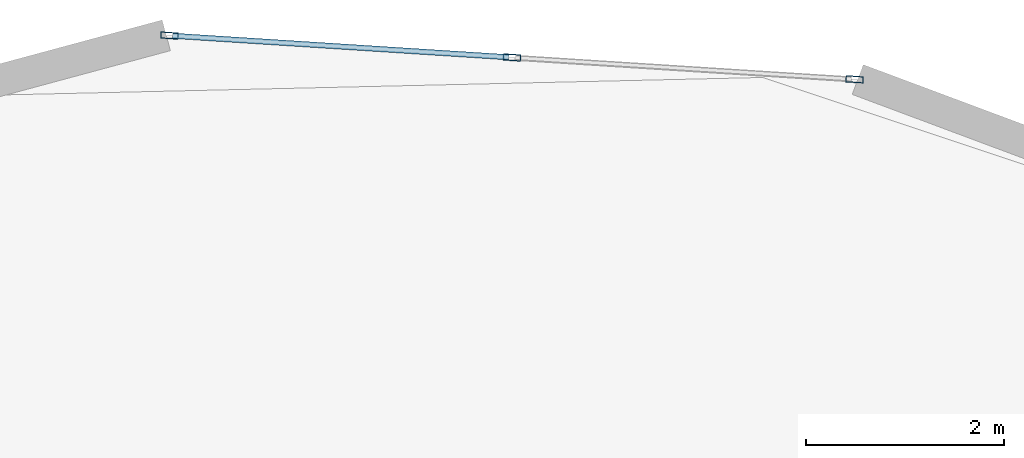
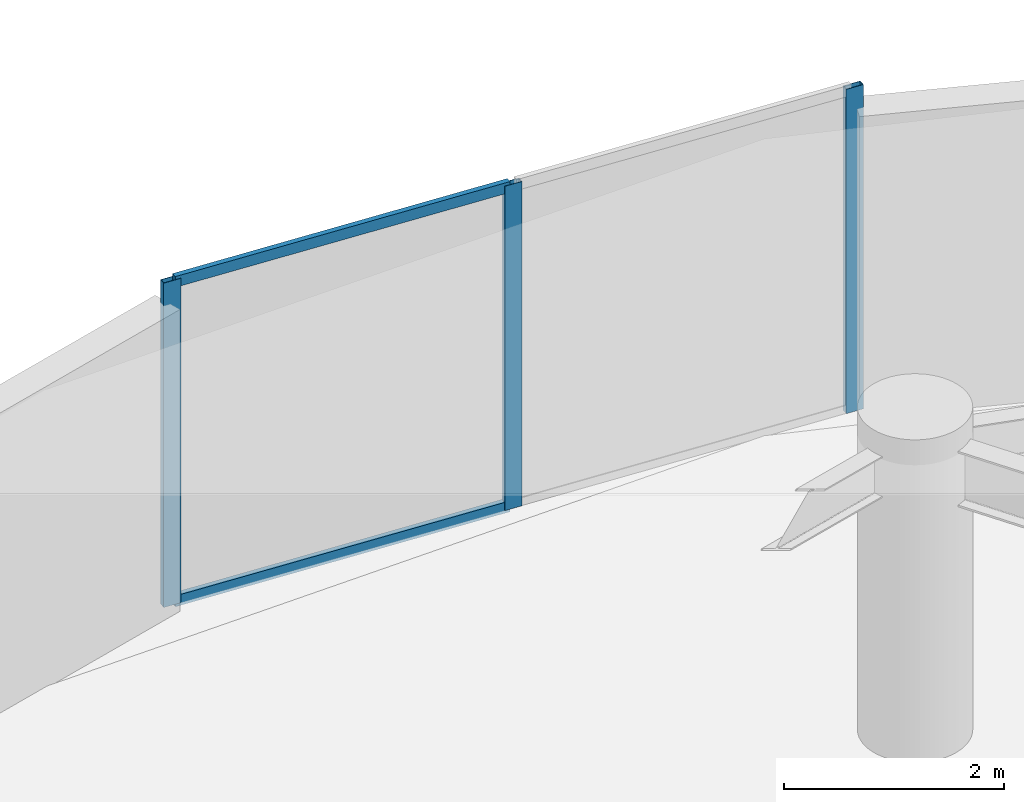
# One storey, part 14 of 21: 5 members, 1 element without a shape of its own.
"""IFC4 building model written with IfcOpenShell, lengths in metres."""

from ifc_helpers import new_model, si_unit, direction, frame, origin, origin_2d, place, context, subcontext, project, spatial, hollow_rectangle, extrude, source, transform, mapped, material, layer, layer_set, material_profile, profile_set, type_object, element, aggregate, save


model = new_model("IFC4")

# Units and contexts
model_context = context("Model", 3, precision=1e-05, world=origin(), true_north=direction((0.0, 1.0)))
body_context = subcontext(model_context, "Body", "Model", "MODEL_VIEW")
ifc_project = project(units=[si_unit("LENGTHUNIT", "METRE"), si_unit("AREAUNIT", "SQUARE_METRE"), si_unit("VOLUMEUNIT", "CUBIC_METRE"), si_unit("PLANEANGLEUNIT", "RADIAN"), si_unit("MASSUNIT", "GRAM", prefix="KILO")], contexts=[model_context])

# Site, building, storey
site_placement = place(None, origin())
site = spatial("IfcSite", under=ifc_project, at=site_placement, CompositionType="ELEMENT")
building_placement = place(site_placement, origin())
building = spatial("IfcBuilding", under=site, at=building_placement, Name="Solvirekh Grand Hotel", CompositionType="ELEMENT")
storey_placement = place(building_placement, frame((0.0, 0.0, 142.199951171875)))
storey = spatial("IfcBuildingStorey", under=building, at=storey_placement, Name="L36", CompositionType="ELEMENT", Elevation=142.199951171875)

# Curtain wall, members
ifc_material = material(Name="Anodized Bronze Aluminium 6063-T6", Category="aluminium")
ifc_layer = layer(ifc_material, 0.175048828125)
ifc_layer_set = layer_set([ifc_layer], Name="Anodized Bronze Aluminium 6063-T6")
curtain_wall_type = type_object("IfcCurtainWallType", Name="CW_Sys3_MidZoneFlushBronzeCW", PredefinedType="NOTDEFINED", material=ifc_layer_set)
curtain_wall_placement = place(storey_placement, origin())
curtain_wall = element("IfcCurtainWall", 1, at=curtain_wall_placement, inside=storey, type_object=curtain_wall_type, Name="L36 unitised bronze-glass curtain wall CW-L36-C08", PredefinedType="NOTDEFINED")
ifc_material_profile_1 = material_profile(ifc_material, hollow_rectangle(XDim=0.06494140625, YDim=0.175048828125, WallThickness=0.0048828125, at=origin_2d()), Name="ALU RHS 175X65X5")
ifc_profile_set_1 = profile_set([ifc_material_profile_1], Name="Anodized Bronze Aluminium 6063-T6")
member_type_1 = type_object("IfcMemberType", Name="CWMullion_Sys3", PredefinedType="MULLION", material=ifc_profile_set_1)
shared_shape_1 = source(origin(), body_context, "Body", "SweptSolid", [
    extrude(hollow_rectangle(XDim=0.06494140625, YDim=0.175048828125, WallThickness=0.0048828125, at=origin_2d()), origin(), (0.0, 0.0, 1.0), 3.60009765625),
])
member_1_placement = place(storey_placement, frame((2.0625, 21.697021484375, 0.0), z_axis=(0.0, 0.0, 1.0), x_axis=(-0.063812331854, -0.997961916259, 0.0)))
member_1 = element("IfcMember", 2, at=member_1_placement, type_object=member_type_1, Name="U03 mullion 1", PredefinedType="MULLION", context=body_context, shape_type="MappedRepresentation", body=[
    mapped(shared_shape_1, transform((0.0, 0.0, 0.0), x_axis=(1.0, 0.0, 0.0), y_axis=(0.0, 1.0, 0.0), z_axis=(0.0, 0.0, 1.0), scale=1.0)),
])
member_2_placement = place(storey_placement, frame((-1.392578125, 21.91796875, 0.0), z_axis=(0.0, 0.0, 1.0), x_axis=(-0.063812331854, -0.997961916259, 0.0)))
member_2 = element("IfcMember", 3, at=member_2_placement, type_object=member_type_1, Name="U03 mullion 2", PredefinedType="MULLION", context=body_context, shape_type="MappedRepresentation", body=[
    mapped(shared_shape_1, transform((0.0, 0.0, 0.0), x_axis=(1.0, 0.0, 0.0), y_axis=(0.0, 1.0, 0.0), z_axis=(0.0, 0.0, 1.0), scale=1.0)),
])
member_3_placement = place(storey_placement, frame((-4.84765625, 22.138916015625, 0.0), z_axis=(0.0, 0.0, 1.0), x_axis=(-0.063812331854, -0.997961916259, 0.0)))
member_3 = element("IfcMember", 4, at=member_3_placement, type_object=member_type_1, Name="U03 mullion 3", PredefinedType="MULLION", context=body_context, shape_type="MappedRepresentation", body=[
    mapped(shared_shape_1, transform((0.0, 0.0, 0.0), x_axis=(1.0, 0.0, 0.0), y_axis=(0.0, 1.0, 0.0), z_axis=(0.0, 0.0, 1.0), scale=1.0)),
])
ifc_material_profile_2 = material_profile(ifc_material, hollow_rectangle(XDim=0.054931640625, YDim=0.1201171875, WallThickness=0.00390625, at=origin_2d()), Name="ALU RHS 120X55X4")
ifc_profile_set_2 = profile_set([ifc_material_profile_2], Name="Anodized Bronze Aluminium 6063-T6")
member_type_2 = type_object("IfcMemberType", Name="CWTransom_Sys3", PredefinedType="USERDEFINED", material=ifc_profile_set_2)
shared_shape_2 = source(origin(), body_context, "Body", "SweptSolid", [
    extrude(hollow_rectangle(XDim=0.054931640625, YDim=0.1201171875, WallThickness=0.00390625, at=origin_2d()), origin(), (0.0, 0.0, 1.0), 3.39697265625),
])
member_4_placement = place(storey_placement, frame((-1.425048828125, 21.920166015625, 0.027587890625), z_axis=(-0.997961493669, 0.063818940399, 0.0), x_axis=(-0.063818940399, -0.997961493669, 0.0)))
member_4 = element("IfcMember", 5, at=member_4_placement, type_object=member_type_2, Name="U03 transom 2.1", ObjectType="TRANSOM", PredefinedType="USERDEFINED", context=body_context, shape_type="MappedRepresentation", body=[
    mapped(shared_shape_2, transform((0.0, 0.0, 0.0), x_axis=(1.0, 0.0, 0.0), y_axis=(0.0, 1.0, 0.0), z_axis=(0.0, 0.0, 1.0), scale=1.0)),
])
member_5_placement = place(storey_placement, frame((-1.425048828125, 21.920166015625, 3.572509765625), z_axis=(-0.997961493669, 0.063818940399, 0.0), x_axis=(-0.063818940399, -0.997961493669, 0.0)))
member_5 = element("IfcMember", 6, at=member_5_placement, type_object=member_type_2, Name="U03 transom 2.2", ObjectType="TRANSOM", PredefinedType="USERDEFINED", context=body_context, shape_type="MappedRepresentation", body=[
    mapped(shared_shape_2, transform((0.0, 0.0, 0.0), x_axis=(1.0, 0.0, 0.0), y_axis=(0.0, 1.0, 0.0), z_axis=(0.0, 0.0, 1.0), scale=1.0)),
])
aggregate(curtain_wall, [member_1, member_2, member_3, member_4, member_5])

save(model, "model.ifc")
